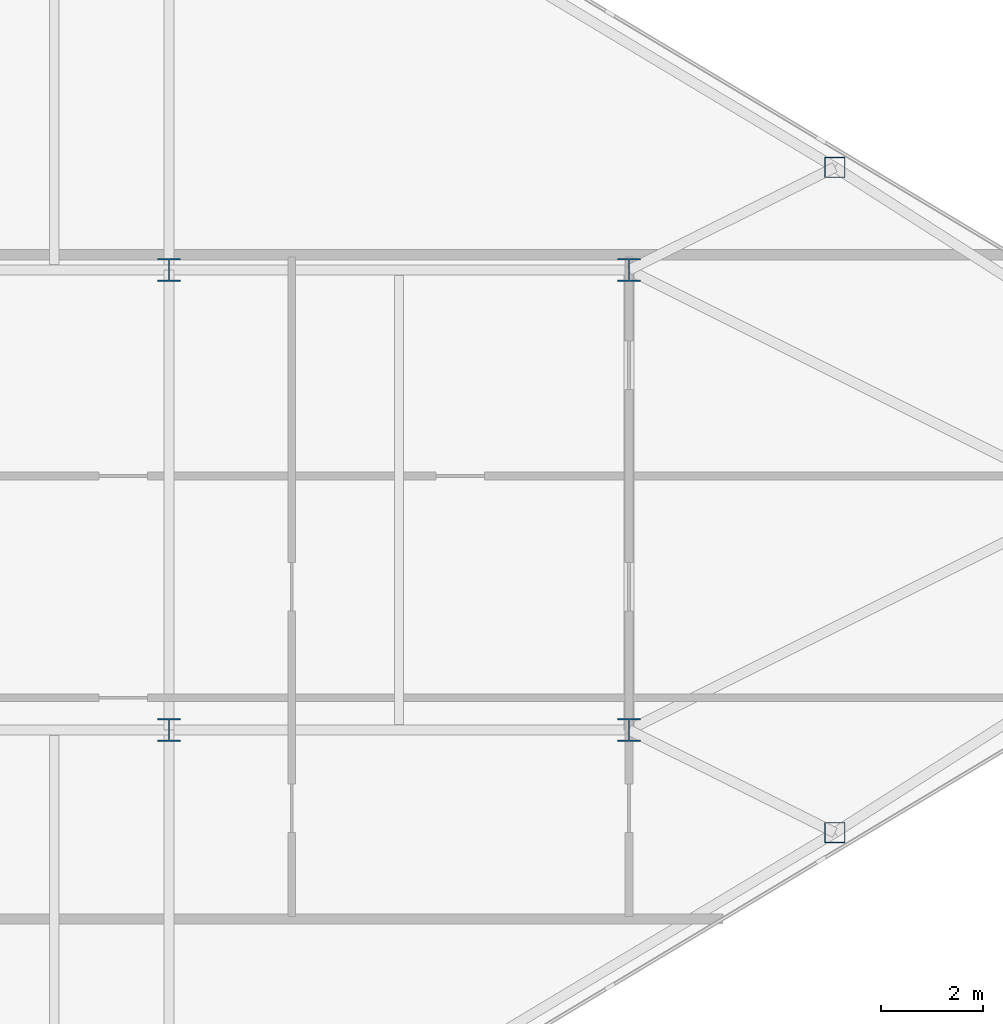
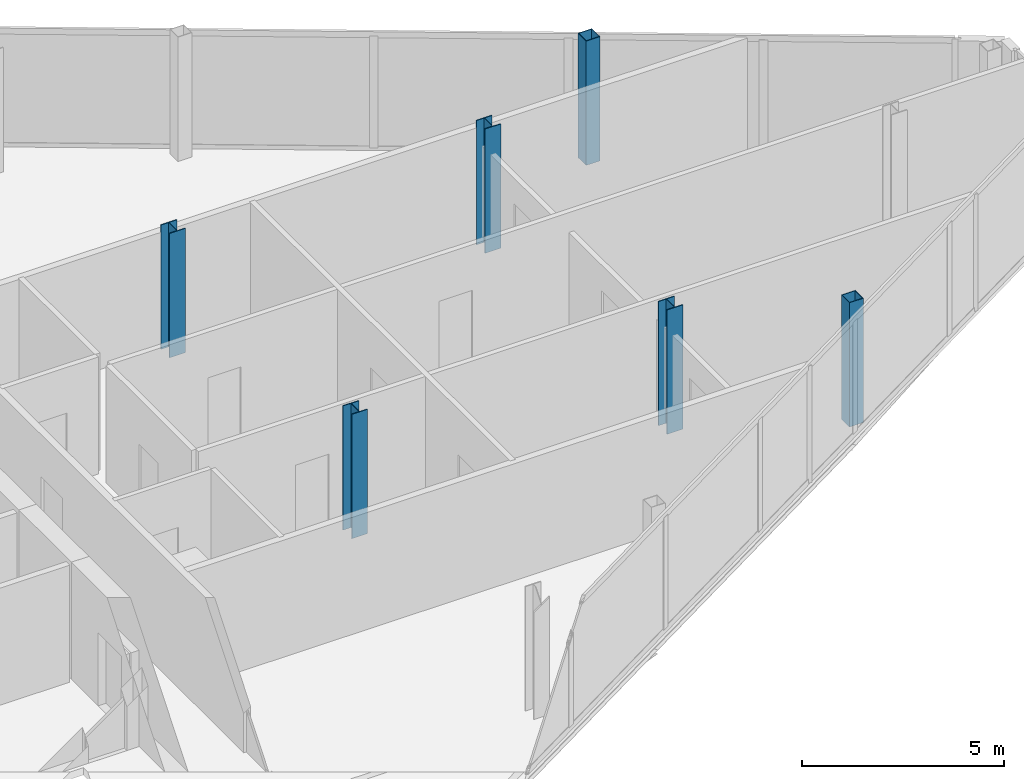
# One storey, part 5 of 29: 6 columns.
"""IFC4 building model written with IfcOpenShell, lengths in metres."""

from ifc_helpers import new_model, si_unit, direction, frame, origin, origin_2d, place, context, subcontext, project, spatial, hollow_rectangle, i_section, extrude, source, transform, mapped, material, material_profile, profile_set, type_object, type_shapes, element, save


model = new_model("IFC4")

# Units and contexts
model_context = context("Model", 3, precision=1e-05, world=origin(), true_north=direction((0.0, 1.0)))
body_context = subcontext(model_context, "Body", "Model", "MODEL_VIEW")
ifc_project = project(units=[si_unit("LENGTHUNIT", "METRE"), si_unit("AREAUNIT", "SQUARE_METRE"), si_unit("VOLUMEUNIT", "CUBIC_METRE"), si_unit("PLANEANGLEUNIT", "RADIAN"), si_unit("MASSUNIT", "GRAM", prefix="KILO")], contexts=[model_context])

# Site, building, storey
site_placement = place(None, origin())
site = spatial("IfcSite", under=ifc_project, at=site_placement, CompositionType="ELEMENT")
building_placement = place(site_placement, origin())
building = spatial("IfcBuilding", under=site, at=building_placement, Name="Seokmaru Belvedere", CompositionType="ELEMENT")
storey_placement = place(building_placement, frame((0.0, 0.0, 254.39990234375)))
storey = spatial("IfcBuildingStorey", under=building, at=storey_placement, Name="L67", CompositionType="ELEMENT", Elevation=254.39990234375)

# Columns
ifc_material = material(Name="Steel SM355 (355 MPa)", Category="steel")
ifc_material_profile_1 = material_profile(ifc_material, i_section(OverallWidth=0.449951171875, OverallDepth=0.449951171875, WebThickness=0.01611328125, FlangeThickness=0.02490234375, at=origin_2d()), Name="H-450x450x16x25")
ifc_profile_set_1 = profile_set([ifc_material_profile_1], Name="Steel SM355 (355 MPa)")
column_type_1 = type_object("IfcColumnType", Name="Sky-Gate Column H-450", PredefinedType="COLUMN", material=ifc_profile_set_1)
shared_shape_1 = source(origin(), body_context, "Body", "SweptSolid", [
    extrude(i_section(OverallWidth=0.449951171875, OverallDepth=0.449951171875, WebThickness=0.01611328125, FlangeThickness=0.02490234375, at=origin_2d()), origin(), (0.0, 0.0, 1.0), 3.75),
])
type_shapes(column_type_1, [shared_shape_1])
for number, where, z_axis, x_axis, name in (
    (1, (45.5, -4.5, 0.0), (0.0, 0.0, 1.0), (1.0, 0.0, 0.0), "L67 Column EG5_2"),
    (2, (45.5, 4.5, 0.0), (0.0, 0.0, 1.0), (1.0, 0.0, 0.0), "L67 Column EG5_3"),
    (3, (54.5, -4.5, 0.0), (0.0, 0.0, 1.0), (1.0, 0.0, 0.0), "L67 Column EG4P_1"),
    (4, (54.5, 4.5, 0.0), (0.0, 0.0, 1.0), (1.0, 0.0, 0.0), "L67 Column EG4P_2"),
):
    element("IfcColumn", number, at=place(storey_placement, frame(where, z_axis=z_axis, x_axis=x_axis)), inside=storey, type_object=column_type_1, Name=name, PredefinedType="COLUMN", context=body_context, shape_type="MappedRepresentation", body=[
        mapped(shared_shape_1, transform((0.0, 0.0, 0.0), scale=1.0)),
    ])
ifc_material_profile_2 = material_profile(ifc_material, hollow_rectangle(XDim=0.39990234375, YDim=0.39990234375, WallThickness=0.01611328125, at=origin_2d()), Name="HSS-400x400x16")
ifc_profile_set_2 = profile_set([ifc_material_profile_2], Name="Steel SM355 (355 MPa)")
column_type_2 = type_object("IfcColumnType", Name="Perimeter Facet Column HSS-400", PredefinedType="COLUMN", material=ifc_profile_set_2)
shared_shape_2 = source(origin(), body_context, "Body", "SweptSolid", [
    extrude(hollow_rectangle(XDim=0.39990234375, YDim=0.39990234375, WallThickness=0.01611328125, at=origin_2d()), origin(), (0.0, 0.0, 1.0), 3.75),
])
type_shapes(column_type_2, [shared_shape_2])
for number, where, z_axis, x_axis, name in (
    (5, (58.530029296875, -6.5087890625, 0.0), (0.0, 0.0, 1.0), (1.0, 0.0, 0.0), "L67 Column EFLK_S3"),
    (6, (58.530029296875, 6.5087890625, 0.0), (0.0, 0.0, 1.0), (1.0, 0.0, 0.0), "L67 Column EFLK_N3"),
):
    element("IfcColumn", number, at=place(storey_placement, frame(where, z_axis=z_axis, x_axis=x_axis)), inside=storey, type_object=column_type_2, Name=name, PredefinedType="COLUMN", context=body_context, shape_type="MappedRepresentation", body=[
        mapped(shared_shape_2, transform((0.0, 0.0, 0.0), scale=1.0)),
    ])

save(model, "model.ifc")
